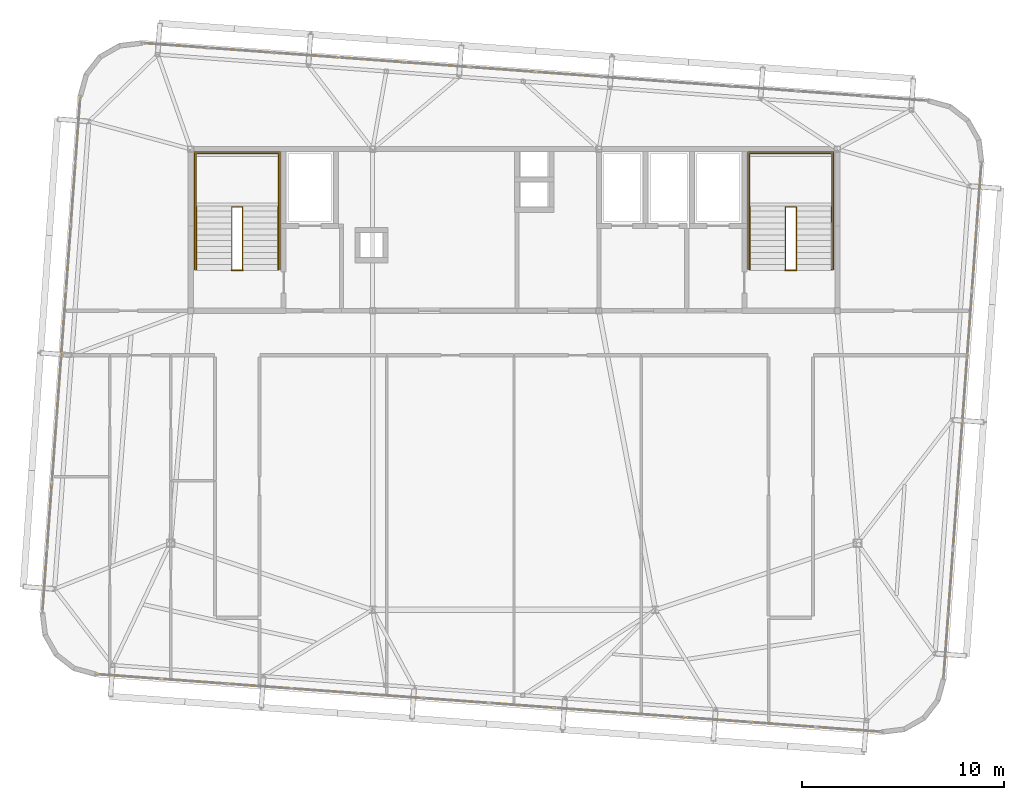
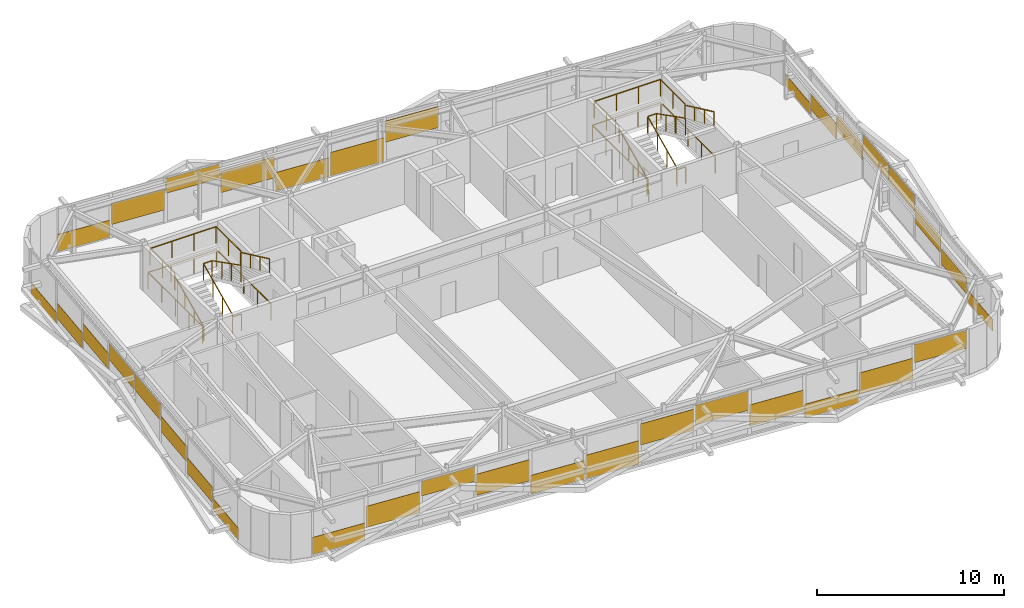
# One storey, part 41 of 42: 35 coverings, 12 railings.
"""IFC4 building model written with IfcOpenShell, lengths in metres."""

from ifc_helpers import new_model, si_unit, direction, frame, origin, origin_2d, place, context, subcontext, project, spatial, rectangle, extrude, source, transform, mapped, material, layer, layer_set, type_object, element, save


model = new_model("IFC4")

# Units and contexts
model_context = context("Model", 3, precision=1e-05, world=origin(), true_north=direction((0.0, 1.0)))
body_context = subcontext(model_context, "Body", "Model", "MODEL_VIEW")
ifc_project = project(units=[si_unit("LENGTHUNIT", "METRE"), si_unit("AREAUNIT", "SQUARE_METRE"), si_unit("VOLUMEUNIT", "CUBIC_METRE"), si_unit("PLANEANGLEUNIT", "RADIAN"), si_unit("MASSUNIT", "GRAM", prefix="KILO")], contexts=[model_context])

# Site, building, storey
site_placement = place(None, origin())
site = spatial("IfcSite", under=ifc_project, at=site_placement, CompositionType="ELEMENT")
building_placement = place(site_placement, origin())
building = spatial("IfcBuilding", under=site, at=building_placement, Name="Taldren Reach Tower", CompositionType="ELEMENT")
storey_placement = place(building_placement, frame((0.0, 0.0, 224.0)))
storey = spatial("IfcBuildingStorey", under=building, at=storey_placement, Name="L68", CompositionType="ELEMENT", Elevation=224.0)

# Railings
ifc_material_1 = material(Name="Steel Gr 350 (C350L0)", Category="steel")
ifc_layer_1 = layer(ifc_material_1, 0.050048828125)
ifc_layer_set_1 = layer_set([ifc_layer_1], Name="Steel Gr 350 (C350L0)")
railing_type_1 = type_object("IfcRailingType", Name="RL-STAIR-GR", PredefinedType="GUARDRAIL", material=ifc_layer_set_1)
railing_1_placement = place(storey_placement, frame((19.260009765625, 29.135009765625, 1.574951171875)))
element("IfcRailing", 1, at=railing_1_placement, inside=storey, type_object=railing_type_1, Name="Stair half-landing perimeter guard ST1-L68", PredefinedType="GUARDRAIL", context=body_context, shape_type="SweptSolid", body=[
    extrude(rectangle(XDim=0.047852, YDim=0.047852, at=origin_2d()), frame((0.0, 0.0, 1.09619140625), z_axis=(0.0, 1.0, 0.0), x_axis=(-1.0, 0.0, 0.0)), (0.0, 0.0, 1.0), 2.64501953125),
    extrude(rectangle(XDim=0.047852, YDim=0.047852, at=origin_2d()), frame((0.0, 2.64501953125, 1.09619140625), z_axis=(1.0, 0.0, 0.0), x_axis=(0.0, 1.0, 0.0)), (0.0, 0.0, 1.0), 4.080078125),
    extrude(rectangle(XDim=0.047852, YDim=0.047852, at=origin_2d()), frame((4.080078125, 2.64501953125, 1.09619140625), z_axis=(0.0, -1.0, 0.0), x_axis=(1.0, 0.0, 0.0)), (0.0, 0.0, 1.0), 2.64501953125),
    extrude(rectangle(XDim=0.041992, YDim=0.041992, at=origin_2d()), origin(), (0.0, 0.0, 1.0), 1.072021484375),
    extrude(rectangle(XDim=0.041992, YDim=0.041992, at=origin_2d()), frame((0.0, 1.322509765625, 0.0)), (0.0, 0.0, 1.0), 1.072021484375),
    extrude(rectangle(XDim=0.041992, YDim=0.041992, at=origin_2d()), frame((0.0, 2.64501953125, 0.0)), (0.0, 0.0, 1.0), 1.072021484375),
    extrude(rectangle(XDim=0.041992, YDim=0.041992, at=origin_2d()), frame((1.360107421875, 2.64501953125, 0.0)), (0.0, 0.0, 1.0), 1.072021484375),
    extrude(rectangle(XDim=0.041992, YDim=0.041992, at=origin_2d()), frame((2.719970703125, 2.64501953125, 0.0)), (0.0, 0.0, 1.0), 1.072021484375),
    extrude(rectangle(XDim=0.041992, YDim=0.041992, at=origin_2d()), frame((4.080078125, 2.64501953125, 0.0)), (0.0, 0.0, 1.0), 1.072021484375),
    extrude(rectangle(XDim=0.041992, YDim=0.041992, at=origin_2d()), frame((4.080078125, 1.322509765625, 0.0)), (0.0, 0.0, 1.0), 1.072021484375),
    extrude(rectangle(XDim=0.041992, YDim=0.041992, at=origin_2d()), frame((4.080078125, 0.0, 0.0)), (0.0, 0.0, 1.0), 1.072021484375),
])
railing_2_placement = place(storey_placement, frame((21.030029296875, 26.050048828125, 0.131103515625)))
element("IfcRailing", 2, at=railing_2_placement, inside=storey, type_object=railing_type_1, Name="Stairwell inner guard ST1-L68", PredefinedType="GUARDRAIL", context=body_context, shape_type="SweptSolid", body=[
    extrude(rectangle(XDim=0.047852, YDim=0.047852, at=origin_2d()), frame((0.0, 0.0, 1.09619140625), z_axis=(0.0, 0.905710134349, 0.423897573167), x_axis=(-1.0, 0.0, 0.0)), (0.0, 0.0, 1.0), 3.406005859375),
    extrude(rectangle(XDim=0.047852, YDim=0.047852, at=origin_2d()), frame((0.0, 3.0849609375, 2.5400390625), z_axis=(1.0, 0.0, 0.0), x_axis=(0.0, 1.0, 0.0)), (0.0, 0.0, 1.0), 0.5400390625),
    extrude(rectangle(XDim=0.047852, YDim=0.047852, at=origin_2d()), frame((0.5400390625, 3.0849609375, 2.5400390625), z_axis=(0.0, -0.890645957773, 0.45469745755), x_axis=(1.0, 0.0, 0.0)), (0.0, 0.0, 1.0), 3.463623046875),
    extrude(rectangle(XDim=0.041992, YDim=0.041992, at=origin_2d()), origin(), (0.0, 0.0, 1.0), 1.072021484375),
    extrude(rectangle(XDim=0.041992, YDim=0.041992, at=origin_2d()), frame((0.0, 1.0283203125, 0.481201171875)), (0.0, 0.0, 1.0), 1.072021484375),
    extrude(rectangle(XDim=0.041992, YDim=0.041992, at=origin_2d()), frame((0.0, 2.056640625, 0.962646484375)), (0.0, 0.0, 1.0), 1.072021484375),
    extrude(rectangle(XDim=0.041992, YDim=0.041992, at=origin_2d()), frame((0.0, 3.0849609375, 1.44384765625)), (0.0, 0.0, 1.0), 1.072021484375),
    extrude(rectangle(XDim=0.041992, YDim=0.041992, at=origin_2d()), frame((0.5400390625, 3.0849609375, 1.44384765625)), (0.0, 0.0, 1.0), 1.072021484375),
    extrude(rectangle(XDim=0.041992, YDim=0.041992, at=origin_2d()), frame((0.5400390625, 2.056640625, 1.96875)), (0.0, 0.0, 1.0), 1.072021484375),
    extrude(rectangle(XDim=0.041992, YDim=0.041992, at=origin_2d()), frame((0.5400390625, 1.0283203125, 2.493896484375)), (0.0, 0.0, 1.0), 1.072021484375),
    extrude(rectangle(XDim=0.041992, YDim=0.041992, at=origin_2d()), frame((0.5400390625, 0.0, 3.018798828125)), (0.0, 0.0, 1.0), 1.072021484375),
])
railing_3_placement = place(storey_placement, frame((21.030029296875, 26.010009765625, 0.0)))
element("IfcRailing", 3, at=railing_3_placement, inside=storey, type_object=railing_type_1, Name="Stairwell landing slot guard ST1-L68", PredefinedType="GUARDRAIL", context=body_context, shape_type="SweptSolid", body=[
    extrude(rectangle(XDim=0.047852, YDim=0.047852, at=origin_2d()), frame((0.0, 0.0, 1.09619140625), z_axis=(1.0, 0.0, 0.0), x_axis=(0.0, 1.0, 0.0)), (0.0, 0.0, 1.0), 0.5400390625),
    extrude(rectangle(XDim=0.041992, YDim=0.041992, at=origin_2d()), origin(), (0.0, 0.0, 1.0), 1.072021484375),
    extrude(rectangle(XDim=0.041992, YDim=0.041992, at=origin_2d()), frame((0.5400390625, 0.0, 0.0)), (0.0, 0.0, 1.0), 1.072021484375),
])
railing_4_placement = place(storey_placement, frame((19.18994140625, 26.050048828125, 0.0)))
element("IfcRailing", 4, at=railing_4_placement, inside=storey, type_object=railing_type_1, Name="Stairwell floor opening guard ST1-L68", PredefinedType="GUARDRAIL", context=body_context, shape_type="SweptSolid", body=[
    extrude(rectangle(XDim=0.047852, YDim=0.047852, at=origin_2d()), frame((0.0, 0.0, 1.09619140625), z_axis=(0.0, 1.0, 0.0), x_axis=(-1.0, 0.0, 0.0)), (0.0, 0.0, 1.0), 5.800048828125),
    extrude(rectangle(XDim=0.047852, YDim=0.047852, at=origin_2d()), frame((0.0, 5.800048828125, 1.09619140625), z_axis=(1.0, 0.0, 0.0), x_axis=(0.0, 1.0, 0.0)), (0.0, 0.0, 1.0), 4.219970703125),
    extrude(rectangle(XDim=0.047852, YDim=0.047852, at=origin_2d()), frame((4.219970703125, 5.800048828125, 1.09619140625), z_axis=(0.0, -1.0, 0.0), x_axis=(1.0, 0.0, 0.0)), (0.0, 0.0, 1.0), 5.800048828125),
    extrude(rectangle(XDim=0.041992, YDim=0.041992, at=origin_2d()), origin(), (0.0, 0.0, 1.0), 1.072021484375),
    extrude(rectangle(XDim=0.041992, YDim=0.041992, at=origin_2d()), frame((0.0, 1.449951171875, 0.0)), (0.0, 0.0, 1.0), 1.072021484375),
    extrude(rectangle(XDim=0.041992, YDim=0.041992, at=origin_2d()), frame((0.0, 2.89990234375, 0.0)), (0.0, 0.0, 1.0), 1.072021484375),
    extrude(rectangle(XDim=0.041992, YDim=0.041992, at=origin_2d()), frame((0.0, 4.35009765625, 0.0)), (0.0, 0.0, 1.0), 1.072021484375),
    extrude(rectangle(XDim=0.041992, YDim=0.041992, at=origin_2d()), frame((0.0, 5.800048828125, 0.0)), (0.0, 0.0, 1.0), 1.072021484375),
    extrude(rectangle(XDim=0.041992, YDim=0.041992, at=origin_2d()), frame((1.40673828125, 5.800048828125, 0.0)), (0.0, 0.0, 1.0), 1.072021484375),
    extrude(rectangle(XDim=0.041992, YDim=0.041992, at=origin_2d()), frame((2.813232421875, 5.800048828125, 0.0)), (0.0, 0.0, 1.0), 1.072021484375),
    extrude(rectangle(XDim=0.041992, YDim=0.041992, at=origin_2d()), frame((4.219970703125, 5.800048828125, 0.0)), (0.0, 0.0, 1.0), 1.072021484375),
    extrude(rectangle(XDim=0.041992, YDim=0.041992, at=origin_2d()), frame((4.219970703125, 4.35009765625, 0.0)), (0.0, 0.0, 1.0), 1.072021484375),
    extrude(rectangle(XDim=0.041992, YDim=0.041992, at=origin_2d()), frame((4.219970703125, 2.89990234375, 0.0)), (0.0, 0.0, 1.0), 1.072021484375),
    extrude(rectangle(XDim=0.041992, YDim=0.041992, at=origin_2d()), frame((4.219970703125, 1.449951171875, 0.0)), (0.0, 0.0, 1.0), 1.072021484375),
    extrude(rectangle(XDim=0.041992, YDim=0.041992, at=origin_2d()), frame((4.219970703125, 0.0, 0.0)), (0.0, 0.0, 1.0), 1.072021484375),
])
railing_5_placement = place(storey_placement, frame((46.659912109375, 29.135009765625, 1.574951171875)))
element("IfcRailing", 5, at=railing_5_placement, inside=storey, type_object=railing_type_1, Name="Stair half-landing perimeter guard ST2-L68", PredefinedType="GUARDRAIL", context=body_context, shape_type="SweptSolid", body=[
    extrude(rectangle(XDim=0.047852, YDim=0.047852, at=origin_2d()), frame((0.0, 0.0, 1.09619140625), z_axis=(0.0, 1.0, 0.0), x_axis=(-1.0, 0.0, 0.0)), (0.0, 0.0, 1.0), 2.64501953125),
    extrude(rectangle(XDim=0.047852, YDim=0.047852, at=origin_2d()), frame((0.0, 2.64501953125, 1.09619140625), z_axis=(1.0, 0.0, 0.0), x_axis=(0.0, 1.0, 0.0)), (0.0, 0.0, 1.0), 4.080078125),
    extrude(rectangle(XDim=0.047852, YDim=0.047852, at=origin_2d()), frame((4.080078125, 2.64501953125, 1.09619140625), z_axis=(0.0, -1.0, 0.0), x_axis=(1.0, 0.0, 0.0)), (0.0, 0.0, 1.0), 2.64501953125),
    extrude(rectangle(XDim=0.041992, YDim=0.041992, at=origin_2d()), origin(), (0.0, 0.0, 1.0), 1.072021484375),
    extrude(rectangle(XDim=0.041992, YDim=0.041992, at=origin_2d()), frame((0.0, 1.322509765625, 0.0)), (0.0, 0.0, 1.0), 1.072021484375),
    extrude(rectangle(XDim=0.041992, YDim=0.041992, at=origin_2d()), frame((0.0, 2.64501953125, 0.0)), (0.0, 0.0, 1.0), 1.072021484375),
    extrude(rectangle(XDim=0.041992, YDim=0.041992, at=origin_2d()), frame((1.360107421875, 2.64501953125, 0.0)), (0.0, 0.0, 1.0), 1.072021484375),
    extrude(rectangle(XDim=0.041992, YDim=0.041992, at=origin_2d()), frame((2.719970703125, 2.64501953125, 0.0)), (0.0, 0.0, 1.0), 1.072021484375),
    extrude(rectangle(XDim=0.041992, YDim=0.041992, at=origin_2d()), frame((4.080078125, 2.64501953125, 0.0)), (0.0, 0.0, 1.0), 1.072021484375),
    extrude(rectangle(XDim=0.041992, YDim=0.041992, at=origin_2d()), frame((4.080078125, 1.322509765625, 0.0)), (0.0, 0.0, 1.0), 1.072021484375),
    extrude(rectangle(XDim=0.041992, YDim=0.041992, at=origin_2d()), frame((4.080078125, 0.0, 0.0)), (0.0, 0.0, 1.0), 1.072021484375),
])
railing_6_placement = place(storey_placement, frame((48.429931640625, 26.050048828125, 0.131103515625)))
element("IfcRailing", 6, at=railing_6_placement, inside=storey, type_object=railing_type_1, Name="Stairwell inner guard ST2-L68", PredefinedType="GUARDRAIL", context=body_context, shape_type="SweptSolid", body=[
    extrude(rectangle(XDim=0.047852, YDim=0.047852, at=origin_2d()), frame((0.0, 0.0, 1.09619140625), z_axis=(0.0, 0.905710134349, 0.423897573167), x_axis=(-1.0, 0.0, 0.0)), (0.0, 0.0, 1.0), 3.406005859375),
    extrude(rectangle(XDim=0.047852, YDim=0.047852, at=origin_2d()), frame((0.0, 3.0849609375, 2.5400390625), z_axis=(1.0, 0.0, 0.0), x_axis=(0.0, 1.0, 0.0)), (0.0, 0.0, 1.0), 0.5400390625),
    extrude(rectangle(XDim=0.047852, YDim=0.047852, at=origin_2d()), frame((0.5400390625, 3.0849609375, 2.5400390625), z_axis=(0.0, -0.890645957773, 0.45469745755), x_axis=(1.0, 0.0, 0.0)), (0.0, 0.0, 1.0), 3.463623046875),
    extrude(rectangle(XDim=0.041992, YDim=0.041992, at=origin_2d()), origin(), (0.0, 0.0, 1.0), 1.072021484375),
    extrude(rectangle(XDim=0.041992, YDim=0.041992, at=origin_2d()), frame((0.0, 1.0283203125, 0.481201171875)), (0.0, 0.0, 1.0), 1.072021484375),
    extrude(rectangle(XDim=0.041992, YDim=0.041992, at=origin_2d()), frame((0.0, 2.056640625, 0.962646484375)), (0.0, 0.0, 1.0), 1.072021484375),
    extrude(rectangle(XDim=0.041992, YDim=0.041992, at=origin_2d()), frame((0.0, 3.0849609375, 1.44384765625)), (0.0, 0.0, 1.0), 1.072021484375),
    extrude(rectangle(XDim=0.041992, YDim=0.041992, at=origin_2d()), frame((0.5400390625, 3.0849609375, 1.44384765625)), (0.0, 0.0, 1.0), 1.072021484375),
    extrude(rectangle(XDim=0.041992, YDim=0.041992, at=origin_2d()), frame((0.5400390625, 2.056640625, 1.96875)), (0.0, 0.0, 1.0), 1.072021484375),
    extrude(rectangle(XDim=0.041992, YDim=0.041992, at=origin_2d()), frame((0.5400390625, 1.0283203125, 2.493896484375)), (0.0, 0.0, 1.0), 1.072021484375),
    extrude(rectangle(XDim=0.041992, YDim=0.041992, at=origin_2d()), frame((0.5400390625, 0.0, 3.018798828125)), (0.0, 0.0, 1.0), 1.072021484375),
])
railing_7_placement = place(storey_placement, frame((48.429931640625, 26.010009765625, 0.0)))
element("IfcRailing", 7, at=railing_7_placement, inside=storey, type_object=railing_type_1, Name="Stairwell landing slot guard ST2-L68", PredefinedType="GUARDRAIL", context=body_context, shape_type="SweptSolid", body=[
    extrude(rectangle(XDim=0.047852, YDim=0.047852, at=origin_2d()), frame((0.0, 0.0, 1.09619140625), z_axis=(1.0, 0.0, 0.0), x_axis=(0.0, 1.0, 0.0)), (0.0, 0.0, 1.0), 0.5400390625),
    extrude(rectangle(XDim=0.041992, YDim=0.041992, at=origin_2d()), origin(), (0.0, 0.0, 1.0), 1.072021484375),
    extrude(rectangle(XDim=0.041992, YDim=0.041992, at=origin_2d()), frame((0.5400390625, 0.0, 0.0)), (0.0, 0.0, 1.0), 1.072021484375),
])
railing_8_placement = place(storey_placement, frame((46.590087890625, 26.050048828125, 0.0)))
element("IfcRailing", 8, at=railing_8_placement, inside=storey, type_object=railing_type_1, Name="Stairwell floor opening guard ST2-L68", PredefinedType="GUARDRAIL", context=body_context, shape_type="SweptSolid", body=[
    extrude(rectangle(XDim=0.047852, YDim=0.047852, at=origin_2d()), frame((0.0, 0.0, 1.09619140625), z_axis=(0.0, 1.0, 0.0), x_axis=(-1.0, 0.0, 0.0)), (0.0, 0.0, 1.0), 5.800048828125),
    extrude(rectangle(XDim=0.047852, YDim=0.047852, at=origin_2d()), frame((0.0, 5.800048828125, 1.09619140625), z_axis=(1.0, 0.0, 0.0), x_axis=(0.0, 1.0, 0.0)), (0.0, 0.0, 1.0), 4.219970703125),
    extrude(rectangle(XDim=0.047852, YDim=0.047852, at=origin_2d()), frame((4.219970703125, 5.800048828125, 1.09619140625), z_axis=(0.0, -1.0, 0.0), x_axis=(1.0, 0.0, 0.0)), (0.0, 0.0, 1.0), 5.800048828125),
    extrude(rectangle(XDim=0.041992, YDim=0.041992, at=origin_2d()), origin(), (0.0, 0.0, 1.0), 1.072021484375),
    extrude(rectangle(XDim=0.041992, YDim=0.041992, at=origin_2d()), frame((0.0, 1.449951171875, 0.0)), (0.0, 0.0, 1.0), 1.072021484375),
    extrude(rectangle(XDim=0.041992, YDim=0.041992, at=origin_2d()), frame((0.0, 2.89990234375, 0.0)), (0.0, 0.0, 1.0), 1.072021484375),
    extrude(rectangle(XDim=0.041992, YDim=0.041992, at=origin_2d()), frame((0.0, 4.35009765625, 0.0)), (0.0, 0.0, 1.0), 1.072021484375),
    extrude(rectangle(XDim=0.041992, YDim=0.041992, at=origin_2d()), frame((0.0, 5.800048828125, 0.0)), (0.0, 0.0, 1.0), 1.072021484375),
    extrude(rectangle(XDim=0.041992, YDim=0.041992, at=origin_2d()), frame((1.40673828125, 5.800048828125, 0.0)), (0.0, 0.0, 1.0), 1.072021484375),
    extrude(rectangle(XDim=0.041992, YDim=0.041992, at=origin_2d()), frame((2.813232421875, 5.800048828125, 0.0)), (0.0, 0.0, 1.0), 1.072021484375),
    extrude(rectangle(XDim=0.041992, YDim=0.041992, at=origin_2d()), frame((4.219970703125, 5.800048828125, 0.0)), (0.0, 0.0, 1.0), 1.072021484375),
    extrude(rectangle(XDim=0.041992, YDim=0.041992, at=origin_2d()), frame((4.219970703125, 4.35009765625, 0.0)), (0.0, 0.0, 1.0), 1.072021484375),
    extrude(rectangle(XDim=0.041992, YDim=0.041992, at=origin_2d()), frame((4.219970703125, 2.89990234375, 0.0)), (0.0, 0.0, 1.0), 1.072021484375),
    extrude(rectangle(XDim=0.041992, YDim=0.041992, at=origin_2d()), frame((4.219970703125, 1.449951171875, 0.0)), (0.0, 0.0, 1.0), 1.072021484375),
    extrude(rectangle(XDim=0.041992, YDim=0.041992, at=origin_2d()), frame((4.219970703125, 0.0, 0.0)), (0.0, 0.0, 1.0), 1.072021484375),
])
ifc_material_2 = material(Name="Stainless Steel Gr 316", Category="steel")
ifc_layer_2 = layer(ifc_material_2, 0.048095703125)
ifc_layer_set_2 = layer_set([ifc_layer_2], Name="Stainless Steel Gr 316")
railing_type_2 = type_object("IfcRailingType", Name="RL-STAIR-HR", PredefinedType="HANDRAIL", material=ifc_layer_set_2)
railing_9_placement = place(storey_placement, frame((19.27001953125, 26.050048828125, 0.131103515625)))
element("IfcRailing", 9, at=railing_9_placement, inside=storey, type_object=railing_type_2, Name="Stair flight handrail ST1-L68-1", PredefinedType="HANDRAIL", context=body_context, shape_type="SweptSolid", body=[
    extrude(rectangle(XDim=0.047852, YDim=0.047852, at=origin_2d()), frame((0.0, 0.0, 0.89599609375), z_axis=(0.0, 0.905710134349, 0.423897573167), x_axis=(-1.0, 0.0, 0.0)), (0.0, 0.0, 1.0), 3.406005859375),
    extrude(rectangle(XDim=0.041992, YDim=0.041992, at=origin_2d()), origin(), (0.0, 0.0, 1.0), 0.871826171875),
    extrude(rectangle(XDim=0.041992, YDim=0.041992, at=origin_2d()), frame((0.0, 1.0283203125, 0.481201171875)), (0.0, 0.0, 1.0), 0.871826171875),
    extrude(rectangle(XDim=0.041992, YDim=0.041992, at=origin_2d()), frame((0.0, 2.056640625, 0.962646484375)), (0.0, 0.0, 1.0), 0.871826171875),
    extrude(rectangle(XDim=0.041992, YDim=0.041992, at=origin_2d()), frame((0.0, 3.0849609375, 1.44384765625)), (0.0, 0.0, 1.0), 0.871826171875),
])
railing_10_placement = place(storey_placement, frame((23.330078125, 29.135009765625, 1.706298828125)))
element("IfcRailing", 10, at=railing_10_placement, inside=storey, type_object=railing_type_2, Name="Stair flight handrail ST1-L68-2", PredefinedType="HANDRAIL", context=body_context, shape_type="SweptSolid", body=[
    extrude(rectangle(XDim=0.047852, YDim=0.047852, at=origin_2d()), frame((0.0, 0.0, 0.89599609375), z_axis=(0.0, -0.905737652094, 0.423838773095), x_axis=(1.0, 0.0, 0.0)), (0.0, 0.0, 1.0), 3.406005859375),
    extrude(rectangle(XDim=0.041992, YDim=0.041992, at=origin_2d()), origin(), (0.0, 0.0, 1.0), 0.871826171875),
    extrude(rectangle(XDim=0.041992, YDim=0.041992, at=origin_2d()), frame((0.0, -1.0283203125, 0.481201171875)), (0.0, 0.0, 1.0), 0.871826171875),
    extrude(rectangle(XDim=0.041992, YDim=0.041992, at=origin_2d()), frame((0.0, -2.056640625, 0.96240234375)), (0.0, 0.0, 1.0), 0.871826171875),
    extrude(rectangle(XDim=0.041992, YDim=0.041992, at=origin_2d()), frame((0.0, -3.0849609375, 1.443603515625)), (0.0, 0.0, 1.0), 0.871826171875),
])
railing_11_placement = place(storey_placement, frame((46.669921875, 26.050048828125, 0.131103515625)))
element("IfcRailing", 11, at=railing_11_placement, inside=storey, type_object=railing_type_2, Name="Stair flight handrail ST2-L68-1", PredefinedType="HANDRAIL", context=body_context, shape_type="SweptSolid", body=[
    extrude(rectangle(XDim=0.047852, YDim=0.047852, at=origin_2d()), frame((0.0, 0.0, 0.89599609375), z_axis=(0.0, 0.905710134349, 0.423897573167), x_axis=(-1.0, 0.0, 0.0)), (0.0, 0.0, 1.0), 3.406005859375),
    extrude(rectangle(XDim=0.041992, YDim=0.041992, at=origin_2d()), origin(), (0.0, 0.0, 1.0), 0.871826171875),
    extrude(rectangle(XDim=0.041992, YDim=0.041992, at=origin_2d()), frame((0.0, 1.0283203125, 0.481201171875)), (0.0, 0.0, 1.0), 0.871826171875),
    extrude(rectangle(XDim=0.041992, YDim=0.041992, at=origin_2d()), frame((0.0, 2.056640625, 0.962646484375)), (0.0, 0.0, 1.0), 0.871826171875),
    extrude(rectangle(XDim=0.041992, YDim=0.041992, at=origin_2d()), frame((0.0, 3.0849609375, 1.44384765625)), (0.0, 0.0, 1.0), 0.871826171875),
])
railing_12_placement = place(storey_placement, frame((50.72998046875, 29.135009765625, 1.706298828125)))
element("IfcRailing", 12, at=railing_12_placement, inside=storey, type_object=railing_type_2, Name="Stair flight handrail ST2-L68-2", PredefinedType="HANDRAIL", context=body_context, shape_type="SweptSolid", body=[
    extrude(rectangle(XDim=0.047852, YDim=0.047852, at=origin_2d()), frame((0.0, 0.0, 0.89599609375), z_axis=(0.0, -0.905737652094, 0.423838773095), x_axis=(1.0, 0.0, 0.0)), (0.0, 0.0, 1.0), 3.406005859375),
    extrude(rectangle(XDim=0.041992, YDim=0.041992, at=origin_2d()), origin(), (0.0, 0.0, 1.0), 0.871826171875),
    extrude(rectangle(XDim=0.041992, YDim=0.041992, at=origin_2d()), frame((0.0, -1.0283203125, 0.481201171875)), (0.0, 0.0, 1.0), 0.871826171875),
    extrude(rectangle(XDim=0.041992, YDim=0.041992, at=origin_2d()), frame((0.0, -2.056640625, 0.96240234375)), (0.0, 0.0, 1.0), 0.871826171875),
    extrude(rectangle(XDim=0.041992, YDim=0.041992, at=origin_2d()), frame((0.0, -3.0849609375, 1.443603515625)), (0.0, 0.0, 1.0), 0.871826171875),
])

# Coverings
ifc_material_3 = material(Name="Pale Champagne Fluoropolymer Aluminium Spandrel Cladding", Category="aluminium")
ifc_layer_3 = layer(ifc_material_3, 0.0439453125)
ifc_layer_set_3 = layer_set([ifc_layer_3], Name="Pale Champagne Fluoropolymer Aluminium Spandrel Cladding")
covering_type = type_object("IfcCoveringType", Name="CV-CLAD-044", PredefinedType="CLADDING", material=ifc_layer_set_3)
shared_shape_1 = source(origin(), body_context, "Body", "SweptSolid", [
    extrude(rectangle(XDim=3.137451171875, YDim=0.0439453125, at=origin_2d()), origin(), (0.0, 0.0, 1.0), 1.1796875),
])
covering_1_placement = place(storey_placement, frame((51.561279296875, 3.2744140625, 1.6904296875), z_axis=(0.0, 0.0, 1.0), x_axis=(0.997314476006, -0.073238213716, 0.0)))
element("IfcCovering", 13, at=covering_1_placement, inside=storey, type_object=covering_type, Name="Diagrid closure cladding strip CW-6 panel 12.1 1", PredefinedType="CLADDING", context=body_context, shape_type="MappedRepresentation", body=[
    mapped(shared_shape_1, transform((0.0, 0.0, 0.0), scale=1.0)),
])
shared_shape_2 = source(origin(), body_context, "Body", "SweptSolid", [
    extrude(rectangle(XDim=3.175048828125, YDim=0.0439453125, at=origin_2d()), origin(), (0.0, 0.0, 1.0), 1.383056640625),
])
for number, where, z_axis, x_axis, name in (
    (14, (19.16748046875, 5.653076171875, 0.8525390625), (0.0, 0.0, 1.0), (0.997314476006, -0.073238213716, 0.0), "Diagrid closure cladding strip CW-6 panel 2.1 1"),
    (15, (25.64990234375, 5.177001953125, 0.953125), (0.0, 0.0, 1.0), (0.997314476006, -0.073238213716, 0.0), "Diagrid closure cladding strip CW-6 panel 4.1 1"),
    (16, (35.373779296875, 4.463134765625, 1.271484375), (0.0, 0.0, 1.0), (0.997314476006, -0.073238213716, 0.0), "Diagrid closure cladding strip CW-6 panel 7.1 1"),
    (17, (41.856201171875, 3.987060546875, 0.53369140625), (0.0, 0.0, 1.0), (0.997314476006, -0.073238213716, 0.0), "Diagrid closure cladding strip CW-6 panel 9.1 1"),
    (18, (48.3388671875, 3.510986328125, 0.634765625), (0.0, 0.0, 1.0), (0.997314476006, -0.073238213716, 0.0), "Diagrid closure cladding strip CW-6 panel 11.1 1"),
    (19, (37.66748046875, 35.698974609375, 1.271484375), (0.0, 0.0, 1.0), (-0.997314476006, 0.073238213716, 0.0), "Diagrid closure cladding strip CW-6 panel 6.1 1"),
    (20, (27.94384765625, 36.4130859375, 0.953125), (0.0, 0.0, 1.0), (-0.997314476006, 0.073238213716, 0.0), "Diagrid closure cladding strip CW-6 panel 9.1 1"),
    (21, (21.461181640625, 36.88916015625, 0.8525390625), (0.0, 0.0, 1.0), (-0.997314476006, 0.073238213716, 0.0), "Diagrid closure cladding strip CW-6 panel 11.1 1"),
):
    element("IfcCovering", number, at=place(storey_placement, frame(where, z_axis=z_axis, x_axis=x_axis)), inside=storey, type_object=covering_type, Name=name, PredefinedType="CLADDING", context=body_context, shape_type="MappedRepresentation", body=[
        mapped(shared_shape_2, transform((0.0, 0.0, 0.0), scale=1.0)),
    ])
shared_shape_3 = source(origin(), body_context, "Body", "SweptSolid", [
    extrude(rectangle(XDim=3.175048828125, YDim=0.0439453125, at=origin_2d()), origin(), (0.0, 0.0, 1.0), 0.90185546875),
])
covering_2_placement = place(storey_placement, frame((45.09765625, 3.7490234375, 0.06005859375), z_axis=(0.0, 0.0, 1.0), x_axis=(0.997314476006, -0.073238213716, 0.0)))
element("IfcCovering", 22, at=covering_2_placement, inside=storey, type_object=covering_type, Name="Diagrid closure cladding strip CW-6 panel 10.1 1", PredefinedType="CLADDING", context=body_context, shape_type="MappedRepresentation", body=[
    mapped(shared_shape_3, transform((0.0, 0.0, 0.0), scale=1.0)),
])
shared_shape_4 = source(origin(), body_context, "Body", "SweptSolid", [
    extrude(rectangle(XDim=3.175048828125, YDim=0.0439453125, at=origin_2d()), origin(), (0.0, 0.0, 1.0), 1.2802734375),
])
covering_3_placement = place(storey_placement, frame((38.614990234375, 4.22509765625, 1.589599609375), z_axis=(0.0, 0.0, 1.0), x_axis=(0.997314476006, -0.073238213716, 0.0)))
element("IfcCovering", 23, at=covering_3_placement, inside=storey, type_object=covering_type, Name="Diagrid closure cladding strip CW-6 panel 8.1 1", PredefinedType="CLADDING", context=body_context, shape_type="MappedRepresentation", body=[
    mapped(shared_shape_4, transform((0.0, 0.0, 0.0), scale=1.0)),
])
shared_shape_5 = source(origin(), body_context, "Body", "SweptSolid", [
    extrude(rectangle(XDim=3.175048828125, YDim=0.0439453125, at=origin_2d()), origin(), (0.0, 0.0, 1.0), 1.53857421875),
])
for number, where, z_axis, x_axis, name in (
    (24, (32.132568359375, 4.701171875, 0.06005859375), (0.0, 0.0, 1.0), (0.997314476006, -0.073238213716, 0.0), "Diagrid closure cladding strip CW-6 panel 6.1 1"),
    (25, (34.42626953125, 35.93701171875, 0.06005859375), (0.0, 0.0, 1.0), (-0.997314476006, 0.073238213716, 0.0), "Diagrid closure cladding strip CW-6 panel 7.1 1"),
):
    element("IfcCovering", number, at=place(storey_placement, frame(where, z_axis=z_axis, x_axis=x_axis)), inside=storey, type_object=covering_type, Name=name, PredefinedType="CLADDING", context=body_context, shape_type="MappedRepresentation", body=[
        mapped(shared_shape_5, transform((0.0, 0.0, 0.0), scale=1.0)),
    ])
shared_shape_6 = source(origin(), body_context, "Body", "SweptSolid", [
    extrude(rectangle(XDim=3.175048828125, YDim=0.0439453125, at=origin_2d()), origin(), (0.0, 0.0, 1.0), 1.22021484375),
])
for number, where, z_axis, x_axis, name in (
    (26, (28.89111328125, 4.939208984375, 0.06005859375), (0.0, 0.0, 1.0), (0.997314476006, -0.073238213716, 0.0), "Diagrid closure cladding strip CW-6 panel 5.1 1"),
    (27, (31.18505859375, 36.175048828125, 0.06005859375), (0.0, 0.0, 1.0), (-0.997314476006, 0.073238213716, 0.0), "Diagrid closure cladding strip CW-6 panel 8.1 1"),
):
    element("IfcCovering", number, at=place(storey_placement, frame(where, z_axis=z_axis, x_axis=x_axis)), inside=storey, type_object=covering_type, Name=name, PredefinedType="CLADDING", context=body_context, shape_type="MappedRepresentation", body=[
        mapped(shared_shape_6, transform((0.0, 0.0, 0.0), scale=1.0)),
    ])
shared_shape_7 = source(origin(), body_context, "Body", "SweptSolid", [
    extrude(rectangle(XDim=3.175048828125, YDim=0.0439453125, at=origin_2d()), origin(), (0.0, 0.0, 1.0), 0.9619140625),
])
for number, where, z_axis, x_axis, name in (
    (28, (22.40869140625, 5.4150390625, 1.907958984375), (0.0, 0.0, 1.0), (0.997314476006, -0.073238213716, 0.0), "Diagrid closure cladding strip CW-6 panel 3.1 1"),
    (29, (24.702392578125, 36.651123046875, 1.907958984375), (0.0, 0.0, 1.0), (-0.997314476006, 0.073238213716, 0.0), "Diagrid closure cladding strip CW-6 panel 10.1 1"),
):
    element("IfcCovering", number, at=place(storey_placement, frame(where, z_axis=z_axis, x_axis=x_axis)), inside=storey, type_object=covering_type, Name=name, PredefinedType="CLADDING", context=body_context, shape_type="MappedRepresentation", body=[
        mapped(shared_shape_7, transform((0.0, 0.0, 0.0), scale=1.0)),
    ])
shared_shape_8 = source(origin(), body_context, "Body", "SweptSolid", [
    extrude(rectangle(XDim=3.137451171875, YDim=0.0439453125, at=origin_2d()), origin(), (0.0, 0.0, 1.0), 1.11962890625),
])
for number, where, z_axis, x_axis, name in (
    (30, (15.94482421875, 5.889892578125, 0.06005859375), (0.0, 0.0, 1.0), (0.997314476006, -0.073238213716, 0.0), "Diagrid closure cladding strip CW-6 panel 1.1 1"),
    (31, (18.238525390625, 37.125732421875, 0.06005859375), (0.0, 0.0, 1.0), (-0.997314476006, 0.073238213716, 0.0), "Diagrid closure cladding strip CW-6 panel 12.1 1"),
):
    element("IfcCovering", number, at=place(storey_placement, frame(where, z_axis=z_axis, x_axis=x_axis)), inside=storey, type_object=covering_type, Name=name, PredefinedType="CLADDING", context=body_context, shape_type="MappedRepresentation", body=[
        mapped(shared_shape_8, transform((0.0, 0.0, 0.0), scale=1.0)),
    ])
shared_shape_9 = source(origin(), body_context, "Body", "SweptSolid", [
    extrude(rectangle(XDim=3.125, YDim=0.0439453125, at=origin_2d()), origin(), (0.0, 0.0, 1.0), 0.99658203125),
])
for number, where, z_axis, x_axis, name in (
    (32, (13.18603515625, 29.816162109375, 0.475830078125), (0.0, 0.0, 1.0), (-0.073238282558, -0.997314470951, 0.0), "Diagrid closure cladding strip CW-6 panel 2.1 1"),
    (33, (12.95166015625, 26.624755859375, 1.146240234375), (0.0, 0.0, 1.0), (-0.073238282558, -0.997314470951, 0.0), "Diagrid closure cladding strip CW-6 panel 3.1 1"),
    (34, (12.24853515625, 17.050537109375, 1.146240234375), (0.0, 0.0, 1.0), (-0.073238282558, -0.997314470951, 0.0), "Diagrid closure cladding strip CW-6 panel 6.1 1"),
    (35, (12.01416015625, 13.859130859375, 0.475830078125), (0.0, 0.0, 1.0), (-0.073238282558, -0.997314470951, 0.0), "Diagrid closure cladding strip CW-6 panel 7.1 1"),
    (36, (56.614013671875, 10.583984375, 0.475830078125), (0.0, 0.0, 1.0), (0.073238282558, 0.997314470951, 0.0), "Diagrid closure cladding strip CW-6 panel 2.1 1"),
    (37, (56.848388671875, 13.775390625, 1.146240234375), (0.0, 0.0, 1.0), (0.073238282558, 0.997314470951, 0.0), "Diagrid closure cladding strip CW-6 panel 3.1 1"),
    (38, (57.551513671875, 23.349609375, 1.146240234375), (0.0, 0.0, 1.0), (0.073238282558, 0.997314470951, 0.0), "Diagrid closure cladding strip CW-6 panel 6.1 1"),
    (39, (57.785888671875, 26.541015625, 0.475830078125), (0.0, 0.0, 1.0), (0.073238282558, 0.997314470951, 0.0), "Diagrid closure cladding strip CW-6 panel 7.1 1"),
):
    element("IfcCovering", number, at=place(storey_placement, frame(where, z_axis=z_axis, x_axis=x_axis)), inside=storey, type_object=covering_type, Name=name, PredefinedType="CLADDING", context=body_context, shape_type="MappedRepresentation", body=[
        mapped(shared_shape_9, transform((0.0, 0.0, 0.0), scale=1.0)),
    ])
shared_shape_10 = source(origin(), body_context, "Body", "SweptSolid", [
    extrude(rectangle(XDim=3.08740234375, YDim=0.0439453125, at=origin_2d()), origin(), (0.0, 0.0, 1.0), 0.7421875),
])
for number, where, z_axis, x_axis, name in (
    (40, (13.4189453125, 32.98876953125, 0.06005859375), (0.0, 0.0, 1.0), (-0.073238282558, -0.997314470951, 0.0), "Diagrid closure cladding strip CW-6 panel 1.1 1"),
    (41, (11.78125, 10.686279296875, 0.06005859375), (0.0, 0.0, 1.0), (-0.073238282558, -0.997314470951, 0.0), "Diagrid closure cladding strip CW-6 panel 8.1 1"),
    (42, (56.381103515625, 7.4111328125, 0.06005859375), (0.0, 0.0, 1.0), (0.073238282558, 0.997314470951, 0.0), "Diagrid closure cladding strip CW-6 panel 1.1 1"),
    (43, (58.018798828125, 29.713623046875, 0.06005859375), (0.0, 0.0, 1.0), (0.073238282558, 0.997314470951, 0.0), "Diagrid closure cladding strip CW-6 panel 8.1 1"),
):
    element("IfcCovering", number, at=place(storey_placement, frame(where, z_axis=z_axis, x_axis=x_axis)), inside=storey, type_object=covering_type, Name=name, PredefinedType="CLADDING", context=body_context, shape_type="MappedRepresentation", body=[
        mapped(shared_shape_10, transform((0.0, 0.0, 0.0), scale=1.0)),
    ])
shared_shape_11 = source(origin(), body_context, "Body", "SweptSolid", [
    extrude(rectangle(XDim=3.125, YDim=0.0439453125, at=origin_2d()), origin(), (0.0, 0.0, 1.0), 1.053466796875),
])
for number, where, z_axis, x_axis, name in (
    (44, (12.71728515625, 23.433349609375, 1.81640625), (0.0, 0.0, 1.0), (-0.073238282558, -0.997314470951, 0.0), "Diagrid closure cladding strip CW-6 panel 4.1 1"),
    (45, (12.48291015625, 20.241943359375, 1.81640625), (0.0, 0.0, 1.0), (-0.073238282558, -0.997314470951, 0.0), "Diagrid closure cladding strip CW-6 panel 5.1 1"),
    (46, (57.082763671875, 16.966796875, 1.81640625), (0.0, 0.0, 1.0), (0.073238282558, 0.997314470951, 0.0), "Diagrid closure cladding strip CW-6 panel 4.1 1"),
    (47, (57.317138671875, 20.158203125, 1.81640625), (0.0, 0.0, 1.0), (0.073238282558, 0.997314470951, 0.0), "Diagrid closure cladding strip CW-6 panel 5.1 1"),
):
    element("IfcCovering", number, at=place(storey_placement, frame(where, z_axis=z_axis, x_axis=x_axis)), inside=storey, type_object=covering_type, Name=name, PredefinedType="CLADDING", context=body_context, shape_type="MappedRepresentation", body=[
        mapped(shared_shape_11, transform((0.0, 0.0, 0.0), scale=1.0)),
    ])

save(model, "model.ifc")
